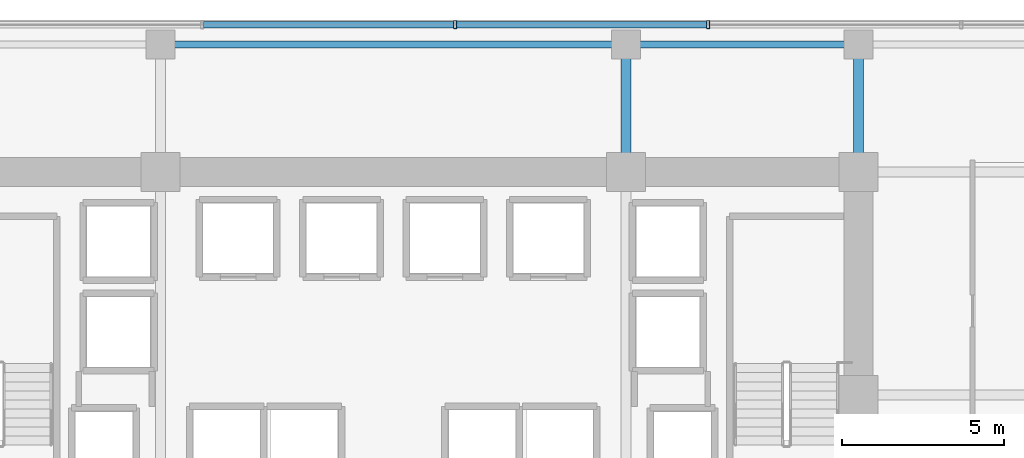
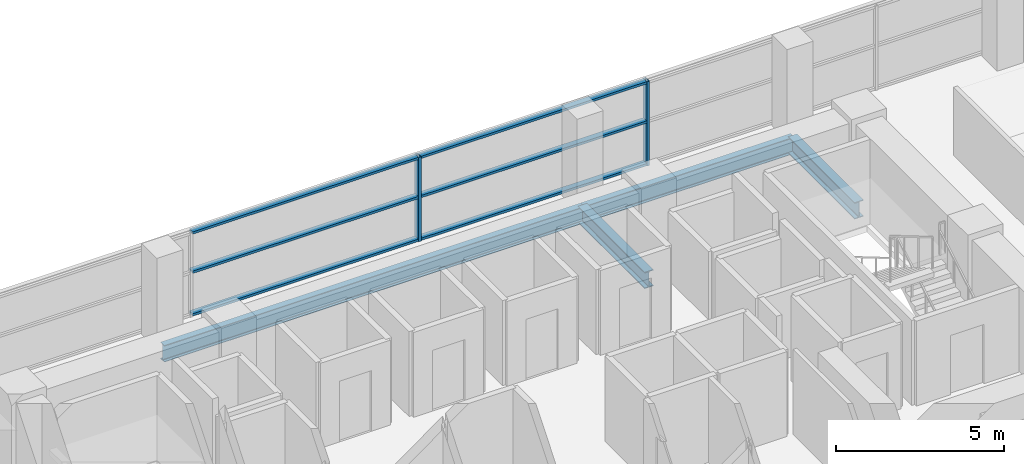
# One storey, part 18 of 30: 8 members, 4 beams, 1 element without a shape of its own.
"""IFC4 building model written with IfcOpenShell, lengths in metres."""

from ifc_helpers import new_model, si_unit, direction, frame, origin, origin_2d, place, context, subcontext, project, spatial, hollow_rectangle, i_section, extrude, source, transform, mapped, material, layer, layer_set, material_profile, profile_set, type_object, element, aggregate, save


model = new_model("IFC4")

# Units and contexts
model_context = context("Model", 3, precision=1e-05, world=origin(), true_north=direction((0.0, 1.0)))
body_context = subcontext(model_context, "Body", "Model", "MODEL_VIEW")
ifc_project = project(units=[si_unit("LENGTHUNIT", "METRE"), si_unit("AREAUNIT", "SQUARE_METRE"), si_unit("VOLUMEUNIT", "CUBIC_METRE"), si_unit("PLANEANGLEUNIT", "RADIAN"), si_unit("MASSUNIT", "GRAM", prefix="KILO")], contexts=[model_context])

# Site, building, storey
site_placement = place(None, origin())
site = spatial("IfcSite", under=ifc_project, at=site_placement, CompositionType="ELEMENT")
building_placement = place(site_placement, origin())
building = spatial("IfcBuilding", under=site, at=building_placement, Name="Zarnakvel Exchange Tower", CompositionType="ELEMENT")
storey_placement = place(building_placement, frame((0.0, 0.0, 30.699951171875)))
storey = spatial("IfcBuildingStorey", under=building, at=storey_placement, Name="L07", CompositionType="ELEMENT", Elevation=30.699951171875)

# Beams
ifc_material_1 = material(Name="Steel S355", Category="steel")
ifc_material_profile_1 = material_profile(ifc_material_1, i_section(OverallWidth=0.300048828125, OverallDepth=0.60009765625, WebThickness=0.015380859375, FlangeThickness=0.030029296875, FilletRadius=0.027099609375, at=origin_2d()))
ifc_profile_set_1 = profile_set([ifc_material_profile_1], Name="Steel S355")
beam_type_1 = type_object("IfcBeamType", Name="G-04", PredefinedType="BEAM", material=ifc_profile_set_1)
for number, where, z_axis, x_axis, name in (
    (1, (7.199951171875, 13.5, -0.52490234375), (0.0, 1.0, 0.0), (-1.0, 0.0, 0.0), "L07 Tower N-S Frame Beam"),
    (2, (14.39990234375, 13.5, -0.52490234375), (0.0, 1.0, 0.0), (-1.0, 0.0, 0.0), "L07 Tower N-S Frame Beam"),
):
    element("IfcBeam", number, at=place(storey_placement, frame(where, z_axis=z_axis, x_axis=x_axis)), inside=storey, type_object=beam_type_1, Name=name, PredefinedType="BEAM", context=body_context, shape_type="SweptSolid", body=[
        extrude(i_section(OverallWidth=0.300048828125, OverallDepth=0.60009765625, WebThickness=0.015380859375, FlangeThickness=0.030029296875, FilletRadius=0.027099609375, at=origin_2d()), origin(), (0.0, 0.0, 1.0), 3.949951171875),
    ])
ifc_material_profile_2 = material_profile(ifc_material_1, i_section(OverallWidth=0.219970703125, OverallDepth=0.60009765625, WebThickness=0.011962890625, FlangeThickness=0.01904296875, FilletRadius=0.02392578125, at=origin_2d()))
ifc_profile_set_2 = profile_set([ifc_material_profile_2], Name="Steel S355")
beam_type_2 = type_object("IfcBeamType", Name="SP-01", PredefinedType="SPANDREL", material=ifc_profile_set_2)
beam_1_placement = place(storey_placement, frame((-7.199951171875, 17.449951171875, -0.52490234375), z_axis=(1.0, 0.0, 0.0), x_axis=(0.0, 1.0, 0.0)))
element("IfcBeam", 3, at=beam_1_placement, inside=storey, type_object=beam_type_2, Name="L07 Tower E-W Frame Beam", PredefinedType="SPANDREL", context=body_context, shape_type="SweptSolid", body=[
    extrude(i_section(OverallWidth=0.219970703125, OverallDepth=0.60009765625, WebThickness=0.011962890625, FlangeThickness=0.01904296875, FilletRadius=0.02392578125, at=origin_2d()), origin(), (0.0, 0.0, 1.0), 14.39990234375),
])
beam_2_placement = place(storey_placement, frame((7.199951171875, 17.449951171875, -0.52490234375), z_axis=(1.0, 0.0, 0.0), x_axis=(0.0, 1.0, 0.0)))
element("IfcBeam", 4, at=beam_2_placement, inside=storey, type_object=beam_type_2, Name="L07 Tower E-W Frame Beam", PredefinedType="SPANDREL", context=body_context, shape_type="SweptSolid", body=[
    extrude(i_section(OverallWidth=0.219970703125, OverallDepth=0.60009765625, WebThickness=0.011962890625, FlangeThickness=0.01904296875, FilletRadius=0.02392578125, at=origin_2d()), origin(), (0.0, 0.0, 1.0), 7.199951171875),
])

# Curtain wall, members
ifc_material_2 = material(Name="Architectural Bronze Anodised Aluminium", Category="aluminium")
ifc_layer = layer(ifc_material_2, 0.239990234375)
ifc_layer_set = layer_set([ifc_layer], Name="Architectural Bronze Anodised Aluminium")
curtain_wall_type = type_object("IfcCurtainWallType", Name="CW-02", PredefinedType="NOTDEFINED", material=ifc_layer_set)
curtain_wall_placement = place(storey_placement, origin())
curtain_wall = element("IfcCurtainWall", 5, at=curtain_wall_placement, inside=storey, type_object=curtain_wall_type, Name="L07 Curtain Wall CW-L07-N1 (CW-02)", PredefinedType="NOTDEFINED")
ifc_material_profile_3 = material_profile(ifc_material_2, hollow_rectangle(XDim=0.199951171875, YDim=0.0849609375, WallThickness=0.0048828125, at=origin_2d()))
ifc_profile_set_3 = profile_set([ifc_material_profile_3], Name="Architectural Bronze Anodised Aluminium")
member_type_1 = type_object("IfcMemberType", Name="CWT-02", PredefinedType="USERDEFINED", material=ifc_profile_set_3)
shared_shape_1 = source(origin(), body_context, "Body", "SweptSolid", [
    extrude(hollow_rectangle(XDim=0.199951171875, YDim=0.0849609375, WallThickness=0.0048828125, at=origin_2d()), origin(), (0.0, 0.0, 1.0), 7.738525390625),
])
member_1_placement = place(storey_placement, frame((1.959228515625, 18.06005859375, 0.04248046875), z_axis=(1.0, 0.0, 0.0), x_axis=(0.0, 1.0, 0.0)))
member_1 = element("IfcMember", 6, at=member_1_placement, type_object=member_type_1, Name="CW-02 transom 5.1", ObjectType="TRANSOM", PredefinedType="USERDEFINED", context=body_context, shape_type="MappedRepresentation", body=[
    mapped(shared_shape_1, transform((0.0, 0.0, 0.0), x_axis=(1.0, 0.0, 0.0), y_axis=(0.0, 1.0, 0.0), z_axis=(0.0, 0.0, 1.0), scale=1.0)),
])
member_2_placement = place(storey_placement, frame((1.959228515625, 18.06005859375, 1.588623046875), z_axis=(1.0, 0.0, 0.0), x_axis=(0.0, 1.0, 0.0)))
member_2 = element("IfcMember", 7, at=member_2_placement, type_object=member_type_1, Name="CW-02 transom 5.2", ObjectType="TRANSOM", PredefinedType="USERDEFINED", context=body_context, shape_type="MappedRepresentation", body=[
    mapped(shared_shape_1, transform((0.0, 0.0, 0.0), x_axis=(1.0, 0.0, 0.0), y_axis=(0.0, 1.0, 0.0), z_axis=(0.0, 0.0, 1.0), scale=1.0)),
])
member_3_placement = place(storey_placement, frame((1.959228515625, 18.06005859375, 3.012451171875), z_axis=(1.0, 0.0, 0.0), x_axis=(0.0, 1.0, 0.0)))
member_3 = element("IfcMember", 8, at=member_3_placement, type_object=member_type_1, Name="CW-02 transom 5.3", ObjectType="TRANSOM", PredefinedType="USERDEFINED", context=body_context, shape_type="MappedRepresentation", body=[
    mapped(shared_shape_1, transform((0.0, 0.0, 0.0), x_axis=(1.0, 0.0, 0.0), y_axis=(0.0, 1.0, 0.0), z_axis=(0.0, 0.0, 1.0), scale=1.0)),
])
shared_shape_2 = source(origin(), body_context, "Body", "SweptSolid", [
    extrude(hollow_rectangle(XDim=0.199951171875, YDim=0.0849609375, WallThickness=0.0048828125, at=origin_2d()), origin(), (0.0, 0.0, 1.0), 7.73876953125),
])
member_4_placement = place(storey_placement, frame((-5.869384765625, 18.06005859375, 0.04248046875), z_axis=(1.0, 0.0, 0.0), x_axis=(0.0, 1.0, 0.0)))
member_4 = element("IfcMember", 9, at=member_4_placement, type_object=member_type_1, Name="CW-02 transom 4.1", ObjectType="TRANSOM", PredefinedType="USERDEFINED", context=body_context, shape_type="MappedRepresentation", body=[
    mapped(shared_shape_2, transform((0.0, 0.0, 0.0), x_axis=(1.0, 0.0, 0.0), y_axis=(0.0, 1.0, 0.0), z_axis=(0.0, 0.0, 1.0), scale=1.0)),
])
member_5_placement = place(storey_placement, frame((-5.869384765625, 18.06005859375, 1.588623046875), z_axis=(1.0, 0.0, 0.0), x_axis=(0.0, 1.0, 0.0)))
member_5 = element("IfcMember", 10, at=member_5_placement, type_object=member_type_1, Name="CW-02 transom 4.2", ObjectType="TRANSOM", PredefinedType="USERDEFINED", context=body_context, shape_type="MappedRepresentation", body=[
    mapped(shared_shape_2, transform((0.0, 0.0, 0.0), x_axis=(1.0, 0.0, 0.0), y_axis=(0.0, 1.0, 0.0), z_axis=(0.0, 0.0, 1.0), scale=1.0)),
])
member_6_placement = place(storey_placement, frame((-5.869384765625, 18.06005859375, 3.012451171875), z_axis=(1.0, 0.0, 0.0), x_axis=(0.0, 1.0, 0.0)))
member_6 = element("IfcMember", 11, at=member_6_placement, type_object=member_type_1, Name="CW-02 transom 4.3", ObjectType="TRANSOM", PredefinedType="USERDEFINED", context=body_context, shape_type="MappedRepresentation", body=[
    mapped(shared_shape_2, transform((0.0, 0.0, 0.0), x_axis=(1.0, 0.0, 0.0), y_axis=(0.0, 1.0, 0.0), z_axis=(0.0, 0.0, 1.0), scale=1.0)),
])
ifc_material_profile_4 = material_profile(ifc_material_2, hollow_rectangle(XDim=0.239990234375, YDim=0.090087890625, WallThickness=0.006103515625, at=origin_2d()))
ifc_profile_set_4 = profile_set([ifc_material_profile_4], Name="Architectural Bronze Anodised Aluminium")
member_type_2 = type_object("IfcMemberType", Name="CWM-02", PredefinedType="MULLION", material=ifc_profile_set_4)
shared_shape_3 = source(origin(), body_context, "Body", "SweptSolid", [
    extrude(hollow_rectangle(XDim=0.239990234375, YDim=0.090087890625, WallThickness=0.006103515625, at=origin_2d()), origin(), (0.0, 0.0, 1.0), 3.054931640625),
])
member_7_placement = place(storey_placement, frame((1.914306640625, 18.06005859375, 0.0), z_axis=(0.0, 0.0, 1.0), x_axis=(0.0, 1.0, 0.0)))
member_7 = element("IfcMember", 12, at=member_7_placement, type_object=member_type_2, Name="CW-02 mullion 5", PredefinedType="MULLION", context=body_context, shape_type="MappedRepresentation", body=[
    mapped(shared_shape_3, transform((0.0, 0.0, 0.0), x_axis=(1.0, 0.0, 0.0), y_axis=(0.0, 1.0, 0.0), z_axis=(0.0, 0.0, 1.0), scale=1.0)),
])
member_8_placement = place(storey_placement, frame((9.742919921875, 18.06005859375, 0.0), z_axis=(0.0, 0.0, 1.0), x_axis=(0.0, 1.0, 0.0)))
member_8 = element("IfcMember", 13, at=member_8_placement, type_object=member_type_2, Name="CW-02 mullion 6", PredefinedType="MULLION", context=body_context, shape_type="MappedRepresentation", body=[
    mapped(shared_shape_3, transform((0.0, 0.0, 0.0), x_axis=(1.0, 0.0, 0.0), y_axis=(0.0, 1.0, 0.0), z_axis=(0.0, 0.0, 1.0), scale=1.0)),
])
aggregate(curtain_wall, [member_7, member_8, member_4, member_5, member_6, member_1, member_2, member_3])

save(model, "model.ifc")
